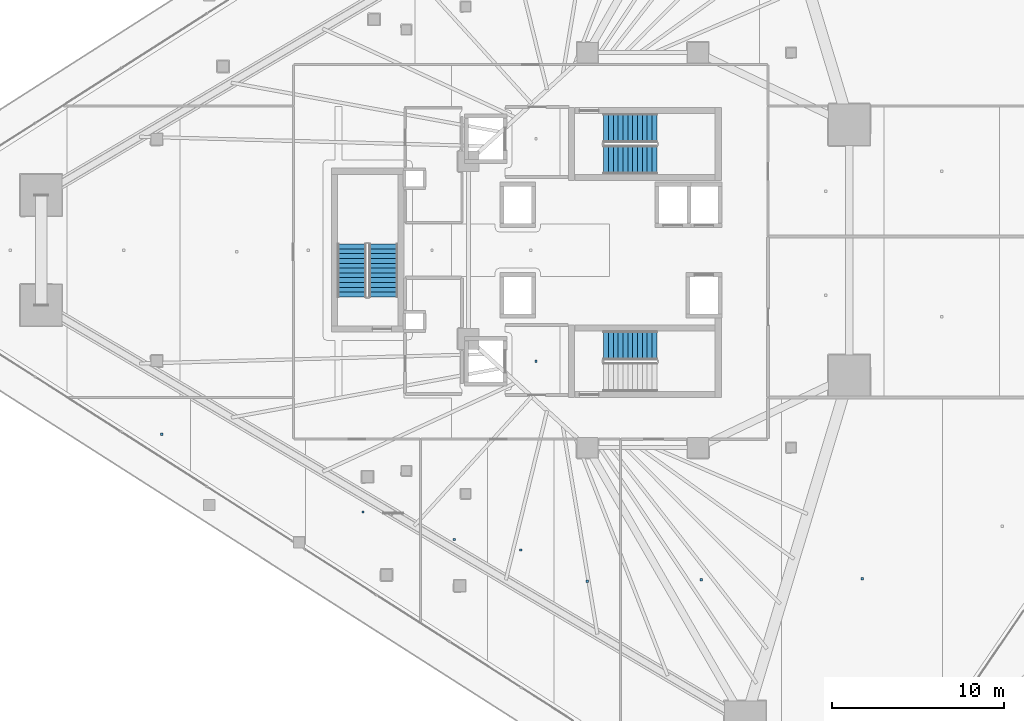
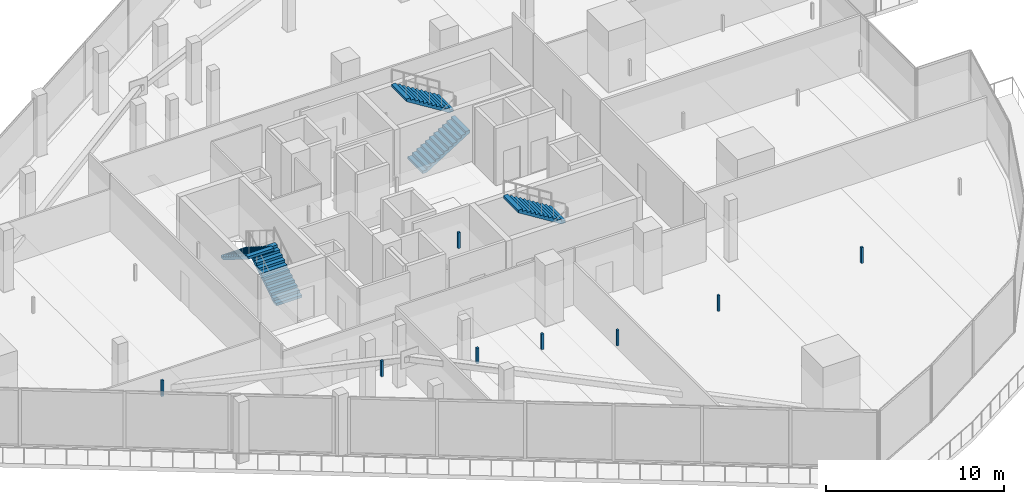
# One storey, part 32 of 45: 8 discrete accessories, 5 stair flights, 3 elements without a shape of their own.
"""IFC4 building model written with IfcOpenShell, lengths in metres."""

from ifc_helpers import new_model, si_unit, direction, frame, origin, origin_2d, place, context, subcontext, project, spatial, polyline, rectangle, outline, extrude, material, layer, layer_set, type_object, element, aggregate, save


model = new_model("IFC4")

# Units and contexts
model_context = context("Model", 3, precision=1e-05, world=origin(), true_north=direction((0.0, 1.0)))
body_context = subcontext(model_context, "Body", "Model", "MODEL_VIEW")
ifc_project = project(units=[si_unit("LENGTHUNIT", "METRE"), si_unit("AREAUNIT", "SQUARE_METRE"), si_unit("VOLUMEUNIT", "CUBIC_METRE"), si_unit("PLANEANGLEUNIT", "RADIAN"), si_unit("MASSUNIT", "GRAM", prefix="KILO")], contexts=[model_context])

# Site, building, storey
site_placement = place(None, origin())
site = spatial("IfcSite", under=ifc_project, at=site_placement, CompositionType="ELEMENT")
building_placement = place(site_placement, origin())
building = spatial("IfcBuilding", under=site, at=building_placement, Name="Qorvath Tower", CompositionType="ELEMENT")
storey_placement = place(building_placement, frame((0.0, 0.0, 49.199951171875)))
storey = spatial("IfcBuildingStorey", under=building, at=storey_placement, Name="L10", CompositionType="ELEMENT", Elevation=49.199951171875)

# Stair, stair flights
ifc_material_1 = material(Name="Concrete C50/60", Category="concrete")
stair_type = type_object("IfcStairType", Name="ST-H420", PredefinedType="HALF_TURN_STAIR", material=ifc_material_1)
stair_1_placement = place(storey_placement, origin())
stair_1 = element("IfcStair", 1, at=stair_1_placement, inside=storey, type_object=stair_type, Name="L10 Tower Exit Stair 1", PredefinedType="HALF_TURN_STAIR")
ifc_material_2 = material(Name="Concrete C50/60", Category="concrete")
ifc_layer = layer(ifc_material_2, 0.14990234375)
ifc_layer_set = layer_set([ifc_layer], Name="SF-H420")
stair_flight_type = type_object("IfcStairFlightType", Name="SF-H420", PredefinedType="STRAIGHT", material=ifc_layer_set)
stair_flight_1_placement = place(storey_placement, frame((-22.669921875, 5.239990234375, 0.0), z_axis=(0.0, 0.0, 1.0), x_axis=(1.0, 0.0, 0.0)))
stair_flight_1 = element("IfcStairFlight", 2, at=stair_flight_1_placement, type_object=stair_flight_type, Name="TS1 flight 1", NumberOfRisers=12, NumberOfTreads=11, PredefinedType="STRAIGHT", RiserHeight=0.175, TreadLength=0.28, context=body_context, shape_type="SweptSolid", body=[
    extrude(outline(polyline([(0.0, 0.0), (0.0, 0.175048828125), (0.280029296875, 0.175048828125), (0.280029296875, 0.35009765625), (0.56005859375, 0.35009765625), (0.56005859375, 0.52490234375), (0.840087890625, 0.52490234375), (0.840087890625, 0.699951171875), (1.1201171875, 0.699951171875), (1.1201171875, 0.875), (1.39990234375, 0.875), (1.39990234375, 1.050048828125), (1.679931640625, 1.050048828125), (1.679931640625, 1.22509765625), (1.9599609375, 1.22509765625), (1.9599609375, 1.39990234375), (2.239990234375, 1.39990234375), (2.239990234375, 1.574951171875), (2.52001953125, 1.574951171875), (2.52001953125, 1.75), (2.800048828125, 1.75), (2.800048828125, 1.925048828125), (3.080078125, 1.925048828125), (3.080078125, 2.10009765625), (3.080078125, 1.748291015625), (0.28271484375, 0.0), (0.0, 0.0)])), frame((0.0, 0.83984375, 0.0), z_axis=(0.0, -1.0, 0.0), x_axis=(1.0, 0.0, 0.0)), (0.0, 0.0, 1.0), 1.679931640625),
])
stair_flight_2_placement = place(storey_placement, frame((-19.590087890625, 7.070068359375, 2.10009765625), z_axis=(0.0, 0.0, 1.0), x_axis=(-1.0, 0.0, 0.0)))
stair_flight_2 = element("IfcStairFlight", 3, at=stair_flight_2_placement, type_object=stair_flight_type, Name="TS1 flight 2", NumberOfRisers=12, NumberOfTreads=11, PredefinedType="STRAIGHT", RiserHeight=0.175, TreadLength=0.28, context=body_context, shape_type="SweptSolid", body=[
    extrude(outline(polyline([(0.0, 0.0), (0.0, 0.175048828125), (0.280029296875, 0.175048828125), (0.280029296875, 0.35009765625), (0.56005859375, 0.35009765625), (0.56005859375, 0.52490234375), (0.840087890625, 0.52490234375), (0.840087890625, 0.699951171875), (1.1201171875, 0.699951171875), (1.1201171875, 0.875), (1.39990234375, 0.875), (1.39990234375, 1.050048828125), (1.679931640625, 1.050048828125), (1.679931640625, 1.22509765625), (1.9599609375, 1.22509765625), (1.9599609375, 1.39990234375), (2.239990234375, 1.39990234375), (2.239990234375, 1.574951171875), (2.52001953125, 1.574951171875), (2.52001953125, 1.75), (2.800048828125, 1.75), (2.800048828125, 1.925048828125), (3.080078125, 1.925048828125), (3.080078125, 2.10009765625), (3.080078125, 1.748291015625), (0.28271484375, 0.0), (0.0, 0.0)])), frame((0.0, 0.83984375, 0.0), z_axis=(0.0, -1.0, 0.0), x_axis=(1.0, 0.0, 0.0)), (0.0, 0.0, 1.0), 1.679931640625),
])
aggregate(stair_1, [stair_flight_1, stair_flight_2])

# Stair, stair flight
stair_2_placement = place(storey_placement, origin())
stair_2 = element("IfcStair", 4, at=stair_2_placement, inside=storey, type_object=stair_type, Name="L10 Tower Exit Stair 2", PredefinedType="HALF_TURN_STAIR")
stair_flight_3_placement = place(storey_placement, frame((-19.590087890625, -5.530029296875, 2.10009765625), z_axis=(0.0, 0.0, 1.0), x_axis=(-1.0, 0.0, 0.0)))
stair_flight_3 = element("IfcStairFlight", 5, at=stair_flight_3_placement, type_object=stair_flight_type, Name="TS2 flight 2", NumberOfRisers=12, NumberOfTreads=11, PredefinedType="STRAIGHT", RiserHeight=0.175, TreadLength=0.28, context=body_context, shape_type="SweptSolid", body=[
    extrude(outline(polyline([(0.0, 0.0), (0.0, 0.175048828125), (0.280029296875, 0.175048828125), (0.280029296875, 0.35009765625), (0.56005859375, 0.35009765625), (0.56005859375, 0.52490234375), (0.840087890625, 0.52490234375), (0.840087890625, 0.699951171875), (1.1201171875, 0.699951171875), (1.1201171875, 0.875), (1.39990234375, 0.875), (1.39990234375, 1.050048828125), (1.679931640625, 1.050048828125), (1.679931640625, 1.22509765625), (1.9599609375, 1.22509765625), (1.9599609375, 1.39990234375), (2.239990234375, 1.39990234375), (2.239990234375, 1.574951171875), (2.52001953125, 1.574951171875), (2.52001953125, 1.75), (2.800048828125, 1.75), (2.800048828125, 1.925048828125), (3.080078125, 1.925048828125), (3.080078125, 2.10009765625), (3.080078125, 1.748291015625), (0.28271484375, 0.0), (0.0, 0.0)])), frame((0.0, 0.83984375, 0.0), z_axis=(0.0, -1.0, 0.0), x_axis=(1.0, 0.0, 0.0)), (0.0, 0.0, 1.0), 1.679931640625),
])
aggregate(stair_2, [stair_flight_3])

# Stair, stair flights
stair_3_placement = place(storey_placement, origin())
stair_3 = element("IfcStair", 6, at=stair_3_placement, inside=storey, type_object=stair_type, Name="L10 Tower Exit Stair 3", PredefinedType="HALF_TURN_STAIR")
stair_flight_4_placement = place(storey_placement, frame((-35.43994140625, -2.719970703125, 0.0), z_axis=(0.0, 0.0, 1.0), x_axis=(0.0, 1.0, 0.0)))
stair_flight_4 = element("IfcStairFlight", 7, at=stair_flight_4_placement, type_object=stair_flight_type, Name="TS3 flight 1", NumberOfRisers=12, NumberOfTreads=11, PredefinedType="STRAIGHT", RiserHeight=0.175, TreadLength=0.28, context=body_context, shape_type="SweptSolid", body=[
    extrude(outline(polyline([(0.0, 0.0), (0.0, 0.175048828125), (0.280029296875, 0.175048828125), (0.280029296875, 0.35009765625), (0.56005859375, 0.35009765625), (0.56005859375, 0.52490234375), (0.840087890625, 0.52490234375), (0.840087890625, 0.699951171875), (1.1201171875, 0.699951171875), (1.1201171875, 0.875), (1.39990234375, 0.875), (1.39990234375, 1.050048828125), (1.679931640625, 1.050048828125), (1.679931640625, 1.22509765625), (1.9599609375, 1.22509765625), (1.9599609375, 1.39990234375), (2.239990234375, 1.39990234375), (2.239990234375, 1.574951171875), (2.52001953125, 1.574951171875), (2.52001953125, 1.75), (2.800048828125, 1.75), (2.800048828125, 1.925048828125), (3.080078125, 1.925048828125), (3.080078125, 2.10009765625), (3.080078125, 1.748291015625), (0.28271484375, 0.0), (0.0, 0.0)])), frame((0.0, 0.83984375, 0.0), z_axis=(0.0, -1.0, 0.0), x_axis=(1.0, 0.0, 0.0)), (0.0, 0.0, 1.0), 1.679931640625),
])
stair_flight_5_placement = place(storey_placement, frame((-37.27001953125, 0.360107421875, 2.10009765625), z_axis=(0.0, 0.0, 1.0), x_axis=(0.0, -1.0, 0.0)))
stair_flight_5 = element("IfcStairFlight", 8, at=stair_flight_5_placement, type_object=stair_flight_type, Name="TS3 flight 2", NumberOfRisers=12, NumberOfTreads=11, PredefinedType="STRAIGHT", RiserHeight=0.175, TreadLength=0.28, context=body_context, shape_type="SweptSolid", body=[
    extrude(outline(polyline([(0.0, 0.0), (0.0, 0.175048828125), (0.280029296875, 0.175048828125), (0.280029296875, 0.35009765625), (0.56005859375, 0.35009765625), (0.56005859375, 0.52490234375), (0.840087890625, 0.52490234375), (0.840087890625, 0.699951171875), (1.1201171875, 0.699951171875), (1.1201171875, 0.875), (1.39990234375, 0.875), (1.39990234375, 1.050048828125), (1.679931640625, 1.050048828125), (1.679931640625, 1.22509765625), (1.9599609375, 1.22509765625), (1.9599609375, 1.39990234375), (2.239990234375, 1.39990234375), (2.239990234375, 1.574951171875), (2.52001953125, 1.574951171875), (2.52001953125, 1.75), (2.800048828125, 1.75), (2.800048828125, 1.925048828125), (3.080078125, 1.925048828125), (3.080078125, 2.10009765625), (3.080078125, 1.748291015625), (0.28271484375, 0.0), (0.0, 0.0)])), frame((0.0, 0.83984375, 0.0), z_axis=(0.0, -1.0, 0.0), x_axis=(1.0, 0.0, 0.0)), (0.0, 0.0, 1.0), 1.679931640625),
])
aggregate(stair_3, [stair_flight_4, stair_flight_5])

# Discrete accessories
ifc_material_3 = material(Name="Galvanised steel bracket", Category="steel")
discrete_accessory_type = type_object("IfcDiscreteAccessoryType", Name="DA-BRACKET", PredefinedType="BRACKET", material=ifc_material_3)
for number, where, z_axis, x_axis, name in (
    (9, (-26.590087890625, -6.449951171875, 2.85986328125), (0.0, 0.0, 1.0), (1.0, 0.0, 0.0), "Acoustic Ceiling Suspension Hanger T1-L10-002"),
    (10, (-48.2890625, -10.677978515625, 2.85986328125), (0.0, 0.0, 1.0), (1.0, 0.0, 0.0), "Acoustic Ceiling Suspension Hanger T1-L10-011"),
    (11, (-36.621826171875, -15.180419921875, 2.85986328125), (0.0, 0.0, 1.0), (1.0, 0.0, 0.0), "Acoustic Ceiling Suspension Hanger T1-L10-013"),
    (12, (-31.34130859375, -16.776123046875, 2.85986328125), (0.0, 0.0, 1.0), (1.0, 0.0, 0.0), "Acoustic Ceiling Suspension Hanger T1-L10-014"),
    (13, (-27.48486328125, -17.384765625, 2.85986328125), (0.0, 0.0, 1.0), (1.0, 0.0, 0.0), "Acoustic Ceiling Suspension Hanger T1-L10-015"),
    (14, (-23.62841796875, -19.190673828125, 2.85986328125), (0.0, 0.0, 1.0), (1.0, 0.0, 0.0), "Acoustic Ceiling Suspension Hanger T1-L10-016"),
    (15, (-17.013916015625, -19.09912109375, 2.85986328125), (0.0, 0.0, 1.0), (1.0, 0.0, 0.0), "Acoustic Ceiling Suspension Hanger T1-L10-017"),
    (16, (-7.677001953125, -19.050537109375, 2.85986328125), (0.0, 0.0, 1.0), (1.0, 0.0, 0.0), "Acoustic Ceiling Suspension Hanger T1-L10-018"),
):
    element("IfcDiscreteAccessory", number, at=place(storey_placement, frame(where, z_axis=z_axis, x_axis=x_axis)), inside=storey, type_object=discrete_accessory_type, Name=name, PredefinedType="NOTDEFINED", context=body_context, shape_type="SweptSolid", body=[
        extrude(rectangle(XDim=0.139892578125, YDim=0.139892578125, at=origin_2d()), origin(), (0.0, 0.0, 1.0), 1.090087890625),
    ])

save(model, "model.ifc")
